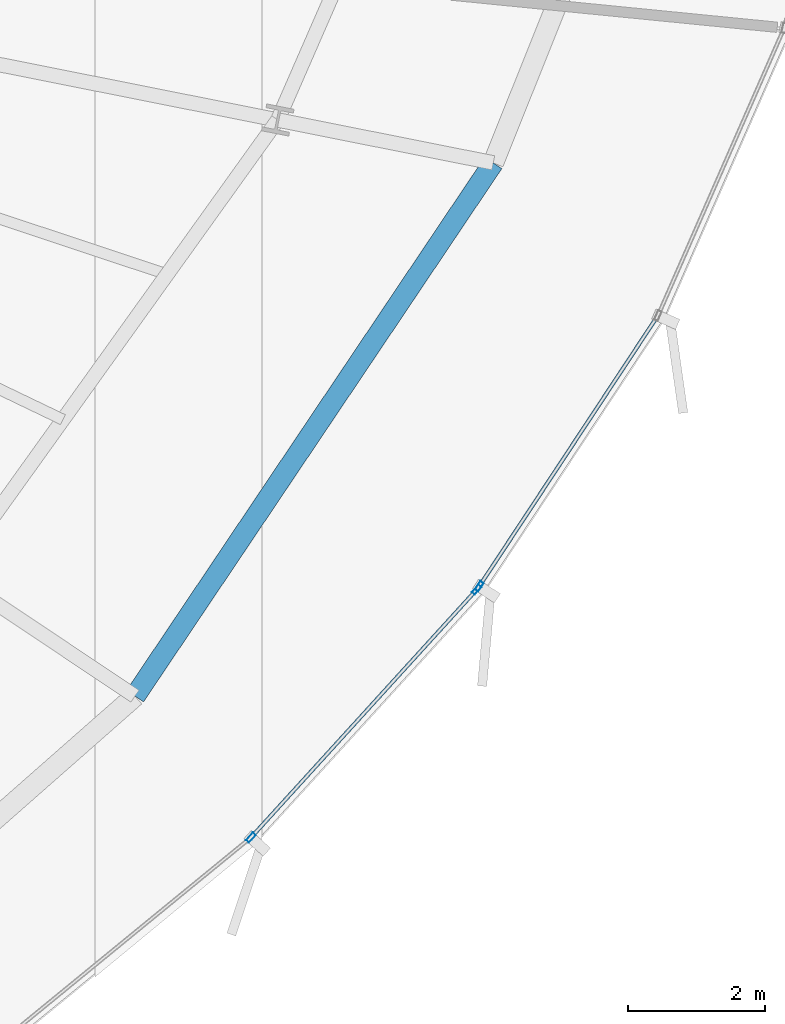
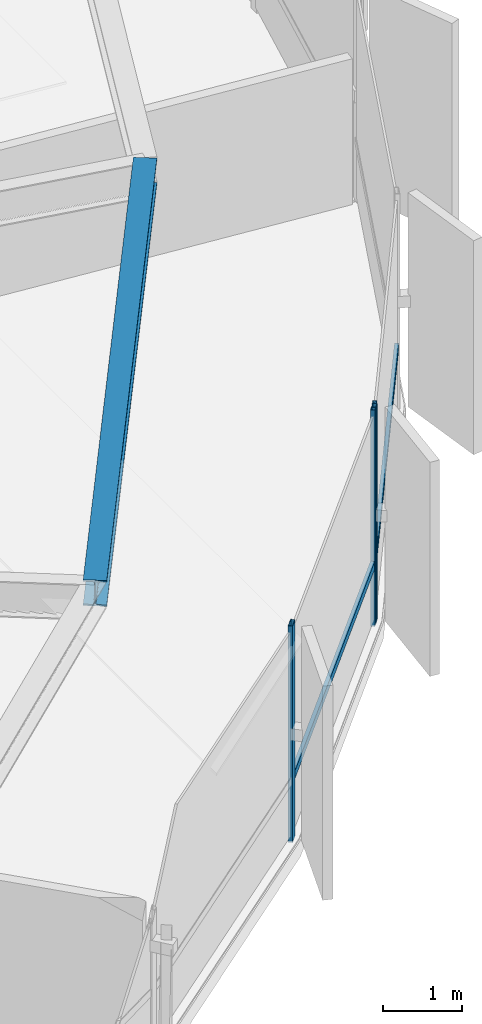
# One storey, part 14 of 33: 5 members, 1 beam, 2 elements without a shape of their own.
"""IFC4 building model written with IfcOpenShell, lengths in metres."""

from ifc_helpers import new_model, si_unit, direction, frame, origin, origin_2d, place, context, subcontext, project, spatial, hollow_rectangle, i_section, extrude, source, transform, mapped, material, layer, layer_set, material_profile, profile_set, type_object, element, aggregate, save


model = new_model("IFC4")

# Units and contexts
model_context = context("Model", 3, precision=1e-05, world=origin(), true_north=direction((0.0, 1.0)))
body_context = subcontext(model_context, "Body", "Model", "MODEL_VIEW")
ifc_project = project(units=[si_unit("LENGTHUNIT", "METRE"), si_unit("AREAUNIT", "SQUARE_METRE"), si_unit("VOLUMEUNIT", "CUBIC_METRE"), si_unit("PLANEANGLEUNIT", "RADIAN"), si_unit("MASSUNIT", "GRAM", prefix="KILO"), si_unit("THERMODYNAMICTEMPERATUREUNIT", "KELVIN")], contexts=[model_context])

# Site, building, storey
site_placement = place(None, origin())
site = spatial("IfcSite", under=ifc_project, at=site_placement, CompositionType="ELEMENT")
building_placement = place(site_placement, origin())
building = spatial("IfcBuilding", under=site, at=building_placement, Name="Kethvar Cultural Tower", CompositionType="ELEMENT")
storey_placement = place(building_placement, frame((0.0, 0.0, 110.800048828125)))
storey = spatial("IfcBuildingStorey", under=building, at=storey_placement, Name="L27", CompositionType="ELEMENT", Elevation=110.800048828125)

# Beam
ifc_material_1 = material(Name="Steel S355J2", Category="steel")
ifc_material_profile_1 = material_profile(ifc_material_1, i_section(OverallWidth=0.300048828125, OverallDepth=0.39990234375, WebThickness=0.013427734375, FlangeThickness=0.02392578125, FilletRadius=0.027099609375, at=origin_2d()), Name="Steel S355J2 — HEB400")
ifc_profile_set_1 = profile_set([ifc_material_profile_1], Name="Steel S355J2 — HEB400")
beam_type = type_object("IfcBeamType", Name="BM-SP400", PredefinedType="SPANDREL", material=ifc_profile_set_1)
shared_shape_1 = source(origin(), body_context, "Body", "SweptSolid", [
    extrude(i_section(OverallWidth=0.300048828125, OverallDepth=0.39990234375, WebThickness=0.013427734375, FlangeThickness=0.02392578125, FilletRadius=0.027099609375, at=origin_2d()), origin(), (0.0, 0.0, 1.0), 9.355224609375),
])
beam_placement = place(storey_placement, frame((65.559326171875, 15.265380859375, 3.14794921875), z_axis=(0.557731714622, 0.830021285573, 0.0), x_axis=(-0.830021285573, 0.557731714622, 0.0)))
element("IfcBeam", 1, at=beam_placement, inside=storey, type_object=beam_type, Name="L27 Perimeter Spandrel Beam SP-15", PredefinedType="SPANDREL", context=body_context, shape_type="MappedRepresentation", body=[
    mapped(shared_shape_1, transform((0.0, 0.0, 0.0), scale=1.0)),
])

# Curtain wall, members
ifc_material_2 = material(Name="Aluminium 6063-T6", Category="aluminium")
ifc_layer = layer(ifc_material_2, 0.179931640625, Name="Aluminium 6063-T6", Category="aluminium")
ifc_layer_set = layer_set([ifc_layer], Name="Aluminium 6063-T6 (180 mm)")
curtain_wall_type = type_object("IfcCurtainWallType", Name="CW-SYS-03-Z2", PredefinedType="NOTDEFINED", material=ifc_layer_set)
curtain_wall_1_placement = place(storey_placement, origin())
curtain_wall_1 = element("IfcCurtainWall", 2, at=curtain_wall_1_placement, inside=storey, type_object=curtain_wall_type, Name="L27 Curtain Wall Run 05", PredefinedType="NOTDEFINED")
ifc_material_profile_2 = material_profile(ifc_material_2, hollow_rectangle(XDim=0.06005859375, YDim=0.14990234375, WallThickness=0.0048828125, at=origin_2d()), Name="Aluminium 6063-T6 — RHS150x60x5")
ifc_profile_set_2 = profile_set([ifc_material_profile_2], Name="Aluminium 6063-T6 — RHS150x60x5")
member_type_1 = type_object("IfcMemberType", Name="CW-SYS-03-Z2-MUL", PredefinedType="MULLION", material=ifc_profile_set_2)
shared_shape_2 = source(origin(), body_context, "Body", "SweptSolid", [
    extrude(hollow_rectangle(XDim=0.06005859375, YDim=0.14990234375, WallThickness=0.0048828125, at=origin_2d()), origin(), (0.0, 0.0, 1.0), 3.349853515625),
])
member_1_placement = place(storey_placement, frame((67.246826171875, 13.205078125, 0.0), z_axis=(0.0, 0.0, 1.0), x_axis=(-0.739419625366, 0.673244842256, 0.0)))
member_1 = element("IfcMember", 3, at=member_1_placement, type_object=member_type_1, Name="CW-L27-R05 Mullion 6", PredefinedType="MULLION", context=body_context, shape_type="MappedRepresentation", body=[
    mapped(shared_shape_2, transform((0.0, 0.0, 0.0), scale=1.0)),
])
member_2_placement = place(storey_placement, frame((70.534912109375, 16.81640625, 0.0), z_axis=(0.0, 0.0, 1.0), x_axis=(-0.739419625366, 0.673244842256, 0.0)))
member_2 = element("IfcMember", 4, at=member_2_placement, type_object=member_type_1, Name="CW-L27-R05 Mullion 7", PredefinedType="MULLION", context=body_context, shape_type="MappedRepresentation", body=[
    mapped(shared_shape_2, transform((0.0, 0.0, 0.0), scale=1.0)),
])

curtain_wall_2_placement = place(storey_placement, origin())
curtain_wall_2 = element("IfcCurtainWall", 5, at=curtain_wall_2_placement, inside=storey, type_object=curtain_wall_type, Name="L27 Curtain Wall Run 06", PredefinedType="NOTDEFINED")
member_3_placement = place(storey_placement, frame((70.57177734375, 16.86376953125, 0.0), z_axis=(0.0, 0.0, 1.0), x_axis=(-0.834674883443, 0.550742988107, 0.0)))
member_3 = element("IfcMember", 6, at=member_3_placement, type_object=member_type_1, Name="CW-L27-R06 Mullion 1", PredefinedType="MULLION", context=body_context, shape_type="MappedRepresentation", body=[
    mapped(shared_shape_2, transform((0.0, 0.0, 0.0), scale=1.0)),
])
ifc_material_profile_3 = material_profile(ifc_material_2, hollow_rectangle(XDim=0.054931640625, YDim=0.1201171875, WallThickness=0.00390625, at=origin_2d()), Name="Aluminium 6063-T6 — RHS120x55x4")
ifc_profile_set_3 = profile_set([ifc_material_profile_3], Name="Aluminium 6063-T6 — RHS120x55x4")
member_type_2 = type_object("IfcMemberType", Name="CW-SYS-03-Z2-TRN", PredefinedType="USERDEFINED", material=ifc_profile_set_3)
shared_shape_3 = source(origin(), body_context, "Body", "SweptSolid", [
    extrude(hollow_rectangle(XDim=0.054931640625, YDim=0.1201171875, WallThickness=0.00390625, at=origin_2d()), origin(), (0.0, 0.0, 1.0), 4.6943359375),
])
member_4_placement = place(storey_placement, frame((70.57421875, 16.8671875, 0.949951171875), z_axis=(0.550721201289, 0.834689258617, 0.0), x_axis=(-0.834689258617, 0.550721201289, 0.0)))
member_4 = element("IfcMember", 7, at=member_4_placement, type_object=member_type_2, Name="CW-L27-R06 Transom 1", ObjectType="TRANSOM", PredefinedType="USERDEFINED", context=body_context, shape_type="MappedRepresentation", body=[
    mapped(shared_shape_3, transform((0.0, 0.0, 0.0), scale=1.0)),
])
aggregate(curtain_wall_2, [member_3, member_4])

# Member
shared_shape_4 = source(origin(), body_context, "Body", "SweptSolid", [
    extrude(hollow_rectangle(XDim=0.054931640625, YDim=0.1201171875, WallThickness=0.00390625, at=origin_2d()), origin(), (0.0, 0.0, 1.0), 4.836669921875),
])
member_5_placement = place(storey_placement, frame((67.27587890625, 13.237060546875, 0.949951171875), z_axis=(0.673245412134, 0.739419106489, 0.0), x_axis=(-0.739419106489, 0.673245412134, 0.0)))
member_5 = element("IfcMember", 8, at=member_5_placement, type_object=member_type_2, Name="CW-L27-R05 Transom 6", ObjectType="TRANSOM", PredefinedType="USERDEFINED", context=body_context, shape_type="MappedRepresentation", body=[
    mapped(shared_shape_4, transform((0.0, 0.0, 0.0), scale=1.0)),
])

aggregate(curtain_wall_1, [member_1, member_2, member_5])

save(model, "model.ifc")
